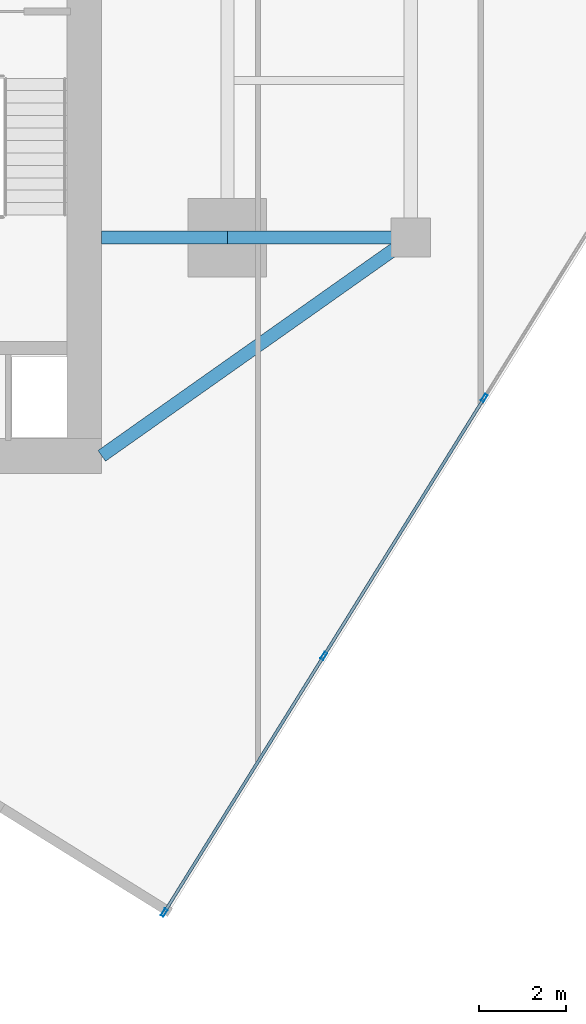
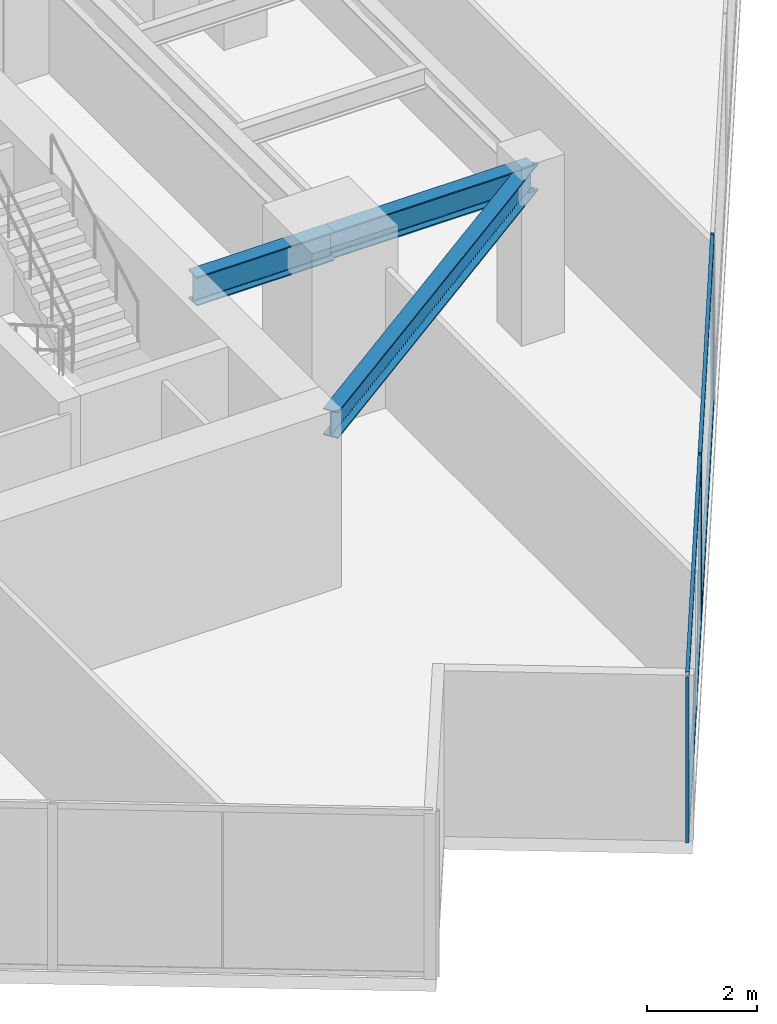
# One storey, part 9 of 25: 7 members, 3 beams, 1 element without a shape of its own.
"""IFC4 building model written with IfcOpenShell, lengths in metres."""

from ifc_helpers import new_model, si_unit, direction, frame, origin, origin_2d, place, context, subcontext, project, spatial, hollow_rectangle, i_section, extrude, source, transform, mapped, material, material_profile, profile_set, type_object, type_shapes, element, aggregate, save


model = new_model("IFC4")

# Units and contexts
model_context = context("Model", 3, precision=1e-05, world=origin(), true_north=direction((0.0, 1.0)))
body_context = subcontext(model_context, "Body", "Model", "MODEL_VIEW")
ifc_project = project(units=[si_unit("LENGTHUNIT", "METRE"), si_unit("AREAUNIT", "SQUARE_METRE"), si_unit("VOLUMEUNIT", "CUBIC_METRE"), si_unit("PLANEANGLEUNIT", "RADIAN"), si_unit("MASSUNIT", "GRAM", prefix="KILO")], contexts=[model_context])

# Site, building, storey
site_placement = place(None, origin())
site = spatial("IfcSite", under=ifc_project, at=site_placement, CompositionType="ELEMENT")
building_placement = place(site_placement, origin())
building = spatial("IfcBuilding", under=site, at=building_placement, Name="Krantzveldt Concourse Tower", CompositionType="ELEMENT")
storey_placement = place(building_placement, frame((0.0, 0.0, 181.75)))
storey = spatial("IfcBuildingStorey", under=building, at=storey_placement, Name="L44", CompositionType="ELEMENT", Elevation=181.75)

# Beams
ifc_material_1 = material(Name="Steel S355JR", Category="steel")
ifc_material_profile_1 = material_profile(ifc_material_1, i_section(OverallWidth=0.300048828125, OverallDepth=0.590087890625, WebThickness=0.012939453125, FlangeThickness=0.02490234375, FilletRadius=0.027099609375, at=origin_2d()), Name="Steel S355JR", Category="steel")
ifc_profile_set_1 = profile_set([ifc_material_profile_1], Name="Steel S355JR - HEA 600")
beam_type_1 = type_object("IfcBeamType", Name="BM-B-HEA600", PredefinedType="BEAM", material=ifc_profile_set_1)
shared_shape_1 = source(origin(), body_context, "Body", "SweptSolid", [
    extrude(i_section(OverallWidth=0.300048828125, OverallDepth=0.590087890625, WebThickness=0.012939453125, FlangeThickness=0.02490234375, FilletRadius=0.027099609375, at=origin_2d()), origin(), (0.0, 0.0, 1.0), 4.199951171875),
])
beam_1_placement = place(storey_placement, frame((46.800048828125, 15.89990234375, 3.375), z_axis=(1.0, 0.0, 0.0), x_axis=(0.0, 1.0, 0.0)))
element("IfcBeam", 1, at=beam_1_placement, inside=storey, type_object=beam_type_1, Name="L44 Tower Girder BR-RR1", PredefinedType="BEAM", context=body_context, shape_type="MappedRepresentation", body=[
    mapped(shared_shape_1, transform((0.0, 0.0, 0.0), x_axis=(1.0, 0.0, 0.0), y_axis=(0.0, 1.0, 0.0), z_axis=(0.0, 0.0, 1.0), scale=1.0)),
])
shared_shape_2 = source(origin(), body_context, "Body", "SweptSolid", [
    extrude(i_section(OverallWidth=0.300048828125, OverallDepth=0.590087890625, WebThickness=0.012939453125, FlangeThickness=0.02490234375, FilletRadius=0.027099609375, at=origin_2d()), origin(), (0.0, 0.0, 1.0), 8.667724609375),
])
type_shapes(beam_type_1, [shared_shape_1, shared_shape_2])
beam_2_placement = place(storey_placement, frame((51.0, 15.89990234375, 3.375), z_axis=(-0.81684294656, -0.576860122261, 0.0), x_axis=(0.576860122261, -0.81684294656, 0.0)))
element("IfcBeam", 2, at=beam_2_placement, inside=storey, type_object=beam_type_1, Name="L44 Tower Girder BR-CSE", PredefinedType="BEAM", context=body_context, shape_type="MappedRepresentation", body=[
    mapped(shared_shape_2, transform((0.0, 0.0, 0.0), x_axis=(1.0, 0.0, 0.0), y_axis=(0.0, 1.0, 0.0), z_axis=(0.0, 0.0, 1.0), scale=1.0)),
])
ifc_material_profile_2 = material_profile(ifc_material_1, i_section(OverallWidth=0.300048828125, OverallDepth=0.639892578125, WebThickness=0.013427734375, FlangeThickness=0.02587890625, FilletRadius=0.027099609375, at=origin_2d()), Name="Steel S355JR", Category="steel")
ifc_profile_set_2 = profile_set([ifc_material_profile_2], Name="Steel S355JR - HEA 650")
beam_type_2 = type_object("IfcBeamType", Name="BM-B-HEA650", PredefinedType="BEAM", material=ifc_profile_set_2)
shared_shape_3 = source(origin(), body_context, "Body", "SweptSolid", [
    extrude(i_section(OverallWidth=0.300048828125, OverallDepth=0.639892578125, WebThickness=0.013427734375, FlangeThickness=0.02587890625, FilletRadius=0.027099609375, at=origin_2d()), origin(), (0.0, 0.0, 1.0), 2.880126953125),
])
type_shapes(beam_type_2, [shared_shape_3])
beam_3_placement = place(storey_placement, frame((43.919921875, 15.89990234375, 3.35009765625), z_axis=(1.0, 0.0, 0.0), x_axis=(0.0, 1.0, 0.0)))
element("IfcBeam", 3, at=beam_3_placement, inside=storey, type_object=beam_type_2, Name="L44 Tower Girder BG-CE1", PredefinedType="BEAM", context=body_context, shape_type="MappedRepresentation", body=[
    mapped(shared_shape_3, transform((0.0, 0.0, 0.0), x_axis=(1.0, 0.0, 0.0), y_axis=(0.0, 1.0, 0.0), z_axis=(0.0, 0.0, 1.0), scale=1.0)),
])

# Curtain wall, members
ifc_material_2 = material(Name="Anodised aluminium 6063-T6", Category="aluminium")
curtain_wall_type = type_object("IfcCurtainWallType", Name="CW3", PredefinedType="USERDEFINED", material=ifc_material_2)
curtain_wall_placement = place(storey_placement, origin())
curtain_wall = element("IfcCurtainWall", 4, at=curtain_wall_placement, inside=storey, type_object=curtain_wall_type, Name="CW-L44-F07", ObjectType="UNITISED CURTAIN WALL", PredefinedType="USERDEFINED")
ifc_material_profile_3 = material_profile(ifc_material_2, hollow_rectangle(XDim=0.070068359375, YDim=0.179931640625, WallThickness=0.0048828125, at=origin_2d()), Name="Anodised aluminium 6063-T6", Category="aluminium")
ifc_profile_set_3 = profile_set([ifc_material_profile_3], Name="Anodised aluminium 6063-T6 - ALU-MULL 180x70x5")
member_type_1 = type_object("IfcMemberType", Name="CW-MUL-180", PredefinedType="MULLION", material=ifc_profile_set_3)
shared_shape_4 = source(origin(), body_context, "Body", "SweptSolid", [
    extrude(hollow_rectangle(XDim=0.070068359375, YDim=0.179931640625, WallThickness=0.0048828125, at=origin_2d()), origin(), (0.0, 0.0, 1.0), 3.669921875),
])
type_shapes(member_type_1, [shared_shape_4])
member_1_placement = place(storey_placement, frame((45.351318359375, 0.4365234375, 0.0), z_axis=(0.0, 0.0, 1.0), x_axis=(-0.84920214961, 0.528067901977, 0.0)))
member_1 = element("IfcMember", 5, at=member_1_placement, type_object=member_type_1, Name="CW-Z34 mullion 1", PredefinedType="MULLION", context=body_context, shape_type="MappedRepresentation", body=[
    mapped(shared_shape_4, transform((0.0, 0.0, 0.0), x_axis=(1.0, 0.0, 0.0), y_axis=(0.0, 1.0, 0.0), z_axis=(0.0, 0.0, 1.0), scale=1.0)),
])
member_2_placement = place(storey_placement, frame((49.008056640625, 6.317138671875, 0.0), z_axis=(0.0, 0.0, 1.0), x_axis=(-0.84920214961, 0.528067901977, 0.0)))
member_2 = element("IfcMember", 6, at=member_2_placement, type_object=member_type_1, Name="CW-Z34 mullion 2", PredefinedType="MULLION", context=body_context, shape_type="MappedRepresentation", body=[
    mapped(shared_shape_4, transform((0.0, 0.0, 0.0), x_axis=(1.0, 0.0, 0.0), y_axis=(0.0, 1.0, 0.0), z_axis=(0.0, 0.0, 1.0), scale=1.0)),
])
member_3_placement = place(storey_placement, frame((52.683349609375, 12.2275390625, 0.0), z_axis=(0.0, 0.0, 1.0), x_axis=(-0.84920214961, 0.528067901977, 0.0)))
member_3 = element("IfcMember", 7, at=member_3_placement, type_object=member_type_1, Name="CW-Z34 mullion 3", PredefinedType="MULLION", context=body_context, shape_type="MappedRepresentation", body=[
    mapped(shared_shape_4, transform((0.0, 0.0, 0.0), x_axis=(1.0, 0.0, 0.0), y_axis=(0.0, 1.0, 0.0), z_axis=(0.0, 0.0, 1.0), scale=1.0)),
])
ifc_material_profile_4 = material_profile(ifc_material_2, hollow_rectangle(XDim=0.070068359375, YDim=0.139892578125, WallThickness=0.0048828125, at=origin_2d()), Name="Anodised aluminium 6063-T6", Category="aluminium")
ifc_profile_set_4 = profile_set([ifc_material_profile_4], Name="Anodised aluminium 6063-T6 - ALU-TRAN 140x70x5")
member_type_2 = type_object("IfcMemberType", Name="CW-TRN-150", PredefinedType="USERDEFINED", material=ifc_profile_set_4)
shared_shape_5 = source(origin(), body_context, "Body", "SweptSolid", [
    extrude(hollow_rectangle(XDim=0.070068359375, YDim=0.139892578125, WallThickness=0.0048828125, at=origin_2d()), origin(), (0.0, 0.0, 1.0), 6.85498046875),
])
member_4_placement = place(storey_placement, frame((45.36962890625, 0.466064453125, 0.034912109375), z_axis=(0.52806394654, 0.849204609246, 0.0), x_axis=(-0.849204609246, 0.52806394654, 0.0)))
member_4 = element("IfcMember", 8, at=member_4_placement, type_object=member_type_2, Name="CW-Z34 transom 1.1", ObjectType="TRANSOM", PredefinedType="USERDEFINED", context=body_context, shape_type="MappedRepresentation", body=[
    mapped(shared_shape_5, transform((0.0, 0.0, 0.0), x_axis=(1.0, 0.0, 0.0), y_axis=(0.0, 1.0, 0.0), z_axis=(0.0, 0.0, 1.0), scale=1.0)),
])
member_5_placement = place(storey_placement, frame((45.36962890625, 0.466064453125, 3.635009765625), z_axis=(0.52806394654, 0.849204609246, 0.0), x_axis=(-0.849204609246, 0.52806394654, 0.0)))
member_5 = element("IfcMember", 9, at=member_5_placement, type_object=member_type_2, Name="CW-Z34 transom 1.2", ObjectType="TRANSOM", PredefinedType="USERDEFINED", context=body_context, shape_type="MappedRepresentation", body=[
    mapped(shared_shape_5, transform((0.0, 0.0, 0.0), x_axis=(1.0, 0.0, 0.0), y_axis=(0.0, 1.0, 0.0), z_axis=(0.0, 0.0, 1.0), scale=1.0)),
])
shared_shape_6 = source(origin(), body_context, "Body", "SweptSolid", [
    extrude(hollow_rectangle(XDim=0.070068359375, YDim=0.139892578125, WallThickness=0.0048828125, at=origin_2d()), origin(), (0.0, 0.0, 1.0), 6.89013671875),
])
type_shapes(member_type_2, [shared_shape_5, shared_shape_6])
member_6_placement = place(storey_placement, frame((49.026611328125, 6.346923828125, 0.034912109375), z_axis=(0.528067429464, 0.849202443437, 0.0), x_axis=(-0.849202443437, 0.528067429464, 0.0)))
member_6 = element("IfcMember", 10, at=member_6_placement, type_object=member_type_2, Name="CW-Z34 transom 2.1", ObjectType="TRANSOM", PredefinedType="USERDEFINED", context=body_context, shape_type="MappedRepresentation", body=[
    mapped(shared_shape_6, transform((0.0, 0.0, 0.0), x_axis=(1.0, 0.0, 0.0), y_axis=(0.0, 1.0, 0.0), z_axis=(0.0, 0.0, 1.0), scale=1.0)),
])
member_7_placement = place(storey_placement, frame((49.026611328125, 6.346923828125, 3.635009765625), z_axis=(0.528067429464, 0.849202443437, 0.0), x_axis=(-0.849202443437, 0.528067429464, 0.0)))
member_7 = element("IfcMember", 11, at=member_7_placement, type_object=member_type_2, Name="CW-Z34 transom 2.2", ObjectType="TRANSOM", PredefinedType="USERDEFINED", context=body_context, shape_type="MappedRepresentation", body=[
    mapped(shared_shape_6, transform((0.0, 0.0, 0.0), x_axis=(1.0, 0.0, 0.0), y_axis=(0.0, 1.0, 0.0), z_axis=(0.0, 0.0, 1.0), scale=1.0)),
])
aggregate(curtain_wall, [member_1, member_2, member_3, member_4, member_5, member_6, member_7])

save(model, "model.ifc")
